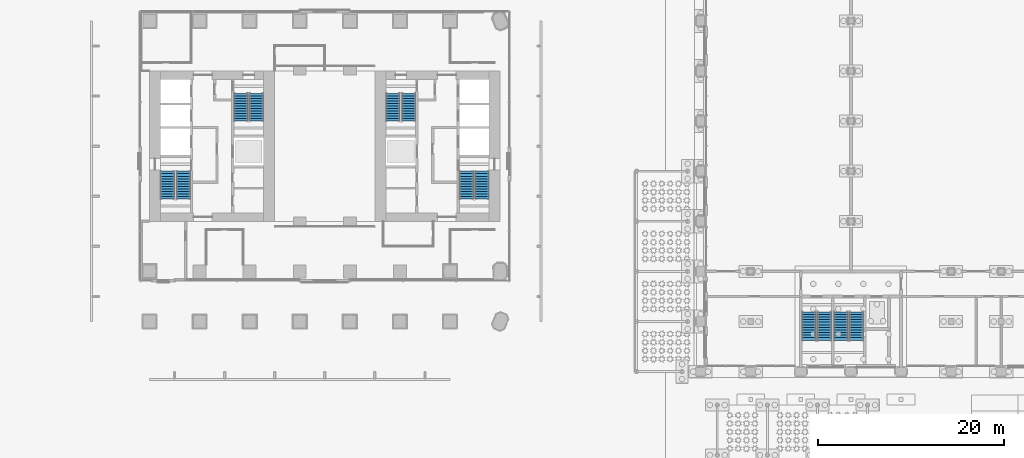
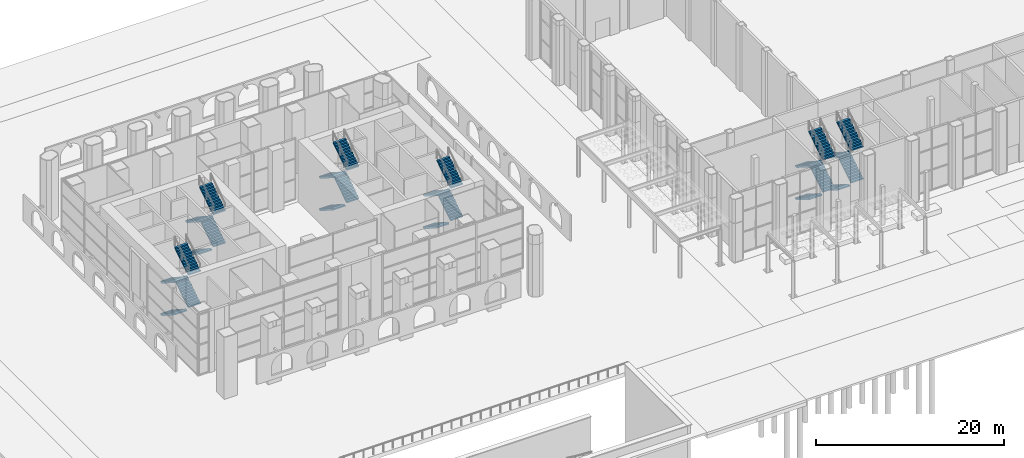
# One storey, part 37 of 54: 24 stair flights, 6 elements without a shape of their own.
"""IFC4 building model written with IfcOpenShell, lengths in metres."""

from ifc_helpers import new_model, si_unit, direction, frame, origin, place, context, subcontext, project, spatial, polyline, outline, extrude, material, type_object, element, aggregate, save


model = new_model("IFC4")

# Units and contexts
model_context = context("Model", 3, precision=1e-05, world=origin(), true_north=direction((0.0, 1.0)))
body_context = subcontext(model_context, "Body", "Model", "MODEL_VIEW")
ifc_project = project(units=[si_unit("LENGTHUNIT", "METRE"), si_unit("AREAUNIT", "SQUARE_METRE"), si_unit("VOLUMEUNIT", "CUBIC_METRE"), si_unit("PLANEANGLEUNIT", "RADIAN"), si_unit("MASSUNIT", "GRAM", prefix="KILO")], contexts=[model_context])

# Site, building, storey
site_placement = place(None, origin())
site = spatial("IfcSite", under=ifc_project, at=site_placement, CompositionType="ELEMENT")
building_placement = place(site_placement, origin())
building = spatial("IfcBuilding", under=site, at=building_placement, Name="Tabaq Tower and Sports Hall", CompositionType="ELEMENT")
storey_placement = place(building_placement, origin())
storey = spatial("IfcBuildingStorey", under=building, at=storey_placement, Name="L00", CompositionType="ELEMENT", Elevation=0.0)

# Stair, stair flights
ifc_material_1 = material(Name="Concrete C40/50", Category="concrete")
stair_type_1 = type_object("IfcStairType", Name="Exit stair", PredefinedType="HALF_TURN_STAIR", material=ifc_material_1)
stair_1_placement = place(storey_placement, origin())
stair_1 = element("IfcStair", 1, at=stair_1_placement, inside=storey, type_object=stair_type_1, Name="L00 Exit stair ST1", PredefinedType="HALF_TURN_STAIR")
ifc_material_2 = material(Name="Concrete C40/50", Category="concrete")
stair_flight_type_1 = type_object("IfcStairFlightType", Name="Exit stair flight", PredefinedType="STRAIGHT", material=ifc_material_2)
stair_flight_1_placement = place(storey_placement, frame((7.35009765625, 21.60009765625, 0.0), z_axis=(0.0, 0.0, 1.0), x_axis=(0.0, -1.0, 0.0)))
stair_flight_1 = element("IfcStairFlight", 2, at=stair_flight_1_placement, type_object=stair_flight_type_1, Name="ST1 flight 1", NumberOfRisers=12, NumberOfTreads=11, PredefinedType="STRAIGHT", RiserHeight=0.175, TreadLength=0.272727273, context=body_context, shape_type="SweptSolid", body=[
    extrude(outline(polyline([(0.0, 0.0), (0.0, 0.175048828125), (0.272705078125, 0.175048828125), (0.272705078125, 0.35009765625), (0.54541015625, 0.35009765625), (0.54541015625, 0.52490234375), (0.818115234375, 0.52490234375), (0.818115234375, 0.699951171875), (1.0908203125, 0.699951171875), (1.0908203125, 0.875), (1.363525390625, 0.875), (1.363525390625, 1.050048828125), (1.636474609375, 1.050048828125), (1.636474609375, 1.22509765625), (1.9091796875, 1.22509765625), (1.9091796875, 1.39990234375), (2.181884765625, 1.39990234375), (2.181884765625, 1.574951171875), (2.45458984375, 1.574951171875), (2.45458984375, 1.75), (2.727294921875, 1.75), (2.727294921875, 1.925048828125), (3.0, 1.925048828125), (3.0, 2.10009765625), (3.0, 1.746826171875), (0.277587890625, 0.0), (0.0, 0.0)])), frame((0.0, 0.75, 0.0), z_axis=(0.0, -1.0, 0.0), x_axis=(1.0, 0.0, 0.0)), (0.0, 0.0, 1.0), 1.5),
])
stair_flight_2_placement = place(storey_placement, frame((9.050048828125, 18.60009765625, 2.10009765625), z_axis=(0.0, 0.0, 1.0), x_axis=(0.0, 1.0, 0.0)))
stair_flight_2 = element("IfcStairFlight", 3, at=stair_flight_2_placement, type_object=stair_flight_type_1, Name="ST1 flight 2", NumberOfRisers=12, NumberOfTreads=11, PredefinedType="STRAIGHT", RiserHeight=0.175, TreadLength=0.272727273, context=body_context, shape_type="SweptSolid", body=[
    extrude(outline(polyline([(0.0, 0.0), (0.0, 0.175048828125), (0.272705078125, 0.175048828125), (0.272705078125, 0.35009765625), (0.54541015625, 0.35009765625), (0.54541015625, 0.52490234375), (0.818115234375, 0.52490234375), (0.818115234375, 0.699951171875), (1.0908203125, 0.699951171875), (1.0908203125, 0.875), (1.363525390625, 0.875), (1.363525390625, 1.050048828125), (1.636474609375, 1.050048828125), (1.636474609375, 1.22509765625), (1.9091796875, 1.22509765625), (1.9091796875, 1.39990234375), (2.181884765625, 1.39990234375), (2.181884765625, 1.574951171875), (2.45458984375, 1.574951171875), (2.45458984375, 1.75), (2.727294921875, 1.75), (2.727294921875, 1.925048828125), (3.0, 1.925048828125), (3.0, 2.10009765625), (3.0, 1.746826171875), (0.277587890625, 0.0), (0.0, 0.0)])), frame((0.0, 0.75, 0.0), z_axis=(0.0, -1.0, 0.0), x_axis=(1.0, 0.0, 0.0)), (0.0, 0.0, 1.0), 1.5),
])
stair_flight_3_placement = place(storey_placement, frame((7.35009765625, 21.60009765625, 4.199951171875), z_axis=(0.0, 0.0, 1.0), x_axis=(0.0, -1.0, 0.0)))
stair_flight_3 = element("IfcStairFlight", 4, at=stair_flight_3_placement, type_object=stair_flight_type_1, Name="ST1 flight 3", NumberOfRisers=12, NumberOfTreads=11, PredefinedType="STRAIGHT", RiserHeight=0.175, TreadLength=0.272727273, context=body_context, shape_type="SweptSolid", body=[
    extrude(outline(polyline([(0.0, 0.0), (0.0, 0.175048828125), (0.272705078125, 0.175048828125), (0.272705078125, 0.35009765625), (0.54541015625, 0.35009765625), (0.54541015625, 0.52490234375), (0.818115234375, 0.52490234375), (0.818115234375, 0.699951171875), (1.0908203125, 0.699951171875), (1.0908203125, 0.875), (1.363525390625, 0.875), (1.363525390625, 1.050048828125), (1.636474609375, 1.050048828125), (1.636474609375, 1.22509765625), (1.9091796875, 1.22509765625), (1.9091796875, 1.39990234375), (2.181884765625, 1.39990234375), (2.181884765625, 1.574951171875), (2.45458984375, 1.574951171875), (2.45458984375, 1.75), (2.727294921875, 1.75), (2.727294921875, 1.925048828125), (3.0, 1.925048828125), (3.0, 2.10009765625), (3.0, 1.746826171875), (0.277587890625, 0.0), (0.0, 0.0)])), frame((0.0, 0.75, 0.0), z_axis=(0.0, -1.0, 0.0), x_axis=(1.0, 0.0, 0.0)), (0.0, 0.0, 1.0), 1.5),
])
stair_flight_4_placement = place(storey_placement, frame((9.050048828125, 18.60009765625, 6.300048828125), z_axis=(0.0, 0.0, 1.0), x_axis=(0.0, 1.0, 0.0)))
stair_flight_4 = element("IfcStairFlight", 5, at=stair_flight_4_placement, type_object=stair_flight_type_1, Name="ST1 flight 4", NumberOfRisers=12, NumberOfTreads=11, PredefinedType="STRAIGHT", RiserHeight=0.175, TreadLength=0.272727273, context=body_context, shape_type="SweptSolid", body=[
    extrude(outline(polyline([(0.0, 0.0), (0.0, 0.175048828125), (0.272705078125, 0.175048828125), (0.272705078125, 0.35009765625), (0.54541015625, 0.35009765625), (0.54541015625, 0.52490234375), (0.818115234375, 0.52490234375), (0.818115234375, 0.699951171875), (1.0908203125, 0.699951171875), (1.0908203125, 0.875), (1.363525390625, 0.875), (1.363525390625, 1.050048828125), (1.636474609375, 1.050048828125), (1.636474609375, 1.22509765625), (1.9091796875, 1.22509765625), (1.9091796875, 1.39990234375), (2.181884765625, 1.39990234375), (2.181884765625, 1.574951171875), (2.45458984375, 1.574951171875), (2.45458984375, 1.75), (2.727294921875, 1.75), (2.727294921875, 1.925048828125), (3.0, 1.925048828125), (3.0, 2.10009765625), (3.0, 1.746826171875), (0.277587890625, 0.0), (0.0, 0.0)])), frame((0.0, 0.75, 0.0), z_axis=(0.0, -1.0, 0.0), x_axis=(1.0, 0.0, 0.0)), (0.0, 0.0, 1.0), 1.5),
])
aggregate(stair_1, [stair_flight_1, stair_flight_2, stair_flight_3, stair_flight_4])

stair_2_placement = place(storey_placement, origin())
stair_2 = element("IfcStair", 6, at=stair_2_placement, inside=storey, type_object=stair_type_1, Name="L00 Exit stair ST2", PredefinedType="HALF_TURN_STAIR")
stair_flight_5_placement = place(storey_placement, frame((15.25, 30.0, 0.0), z_axis=(0.0, 0.0, 1.0), x_axis=(0.0, -1.0, 0.0)))
stair_flight_5 = element("IfcStairFlight", 7, at=stair_flight_5_placement, type_object=stair_flight_type_1, Name="ST2 flight 1", NumberOfRisers=12, NumberOfTreads=11, PredefinedType="STRAIGHT", RiserHeight=0.175, TreadLength=0.272727273, context=body_context, shape_type="SweptSolid", body=[
    extrude(outline(polyline([(0.0, 0.0), (0.0, 0.175048828125), (0.272705078125, 0.175048828125), (0.272705078125, 0.35009765625), (0.54541015625, 0.35009765625), (0.54541015625, 0.52490234375), (0.818115234375, 0.52490234375), (0.818115234375, 0.699951171875), (1.0908203125, 0.699951171875), (1.0908203125, 0.875), (1.363525390625, 0.875), (1.363525390625, 1.050048828125), (1.636474609375, 1.050048828125), (1.636474609375, 1.22509765625), (1.9091796875, 1.22509765625), (1.9091796875, 1.39990234375), (2.181884765625, 1.39990234375), (2.181884765625, 1.574951171875), (2.45458984375, 1.574951171875), (2.45458984375, 1.75), (2.727294921875, 1.75), (2.727294921875, 1.925048828125), (3.0, 1.925048828125), (3.0, 2.10009765625), (3.0, 1.746826171875), (0.277587890625, 0.0), (0.0, 0.0)])), frame((0.0, 0.75, 0.0), z_axis=(0.0, -1.0, 0.0), x_axis=(1.0, 0.0, 0.0)), (0.0, 0.0, 1.0), 1.5),
])
stair_flight_6_placement = place(storey_placement, frame((16.949951171875, 27.0, 2.10009765625), z_axis=(0.0, 0.0, 1.0), x_axis=(0.0, 1.0, 0.0)))
stair_flight_6 = element("IfcStairFlight", 8, at=stair_flight_6_placement, type_object=stair_flight_type_1, Name="ST2 flight 2", NumberOfRisers=12, NumberOfTreads=11, PredefinedType="STRAIGHT", RiserHeight=0.175, TreadLength=0.272727273, context=body_context, shape_type="SweptSolid", body=[
    extrude(outline(polyline([(0.0, 0.0), (0.0, 0.175048828125), (0.272705078125, 0.175048828125), (0.272705078125, 0.35009765625), (0.54541015625, 0.35009765625), (0.54541015625, 0.52490234375), (0.818115234375, 0.52490234375), (0.818115234375, 0.699951171875), (1.0908203125, 0.699951171875), (1.0908203125, 0.875), (1.363525390625, 0.875), (1.363525390625, 1.050048828125), (1.636474609375, 1.050048828125), (1.636474609375, 1.22509765625), (1.9091796875, 1.22509765625), (1.9091796875, 1.39990234375), (2.181884765625, 1.39990234375), (2.181884765625, 1.574951171875), (2.45458984375, 1.574951171875), (2.45458984375, 1.75), (2.727294921875, 1.75), (2.727294921875, 1.925048828125), (3.0, 1.925048828125), (3.0, 2.10009765625), (3.0, 1.746826171875), (0.277587890625, 0.0), (0.0, 0.0)])), frame((0.0, 0.75, 0.0), z_axis=(0.0, -1.0, 0.0), x_axis=(1.0, 0.0, 0.0)), (0.0, 0.0, 1.0), 1.5),
])
stair_flight_7_placement = place(storey_placement, frame((15.25, 30.0, 4.199951171875), z_axis=(0.0, 0.0, 1.0), x_axis=(0.0, -1.0, 0.0)))
stair_flight_7 = element("IfcStairFlight", 9, at=stair_flight_7_placement, type_object=stair_flight_type_1, Name="ST2 flight 3", NumberOfRisers=12, NumberOfTreads=11, PredefinedType="STRAIGHT", RiserHeight=0.175, TreadLength=0.272727273, context=body_context, shape_type="SweptSolid", body=[
    extrude(outline(polyline([(0.0, 0.0), (0.0, 0.175048828125), (0.272705078125, 0.175048828125), (0.272705078125, 0.35009765625), (0.54541015625, 0.35009765625), (0.54541015625, 0.52490234375), (0.818115234375, 0.52490234375), (0.818115234375, 0.699951171875), (1.0908203125, 0.699951171875), (1.0908203125, 0.875), (1.363525390625, 0.875), (1.363525390625, 1.050048828125), (1.636474609375, 1.050048828125), (1.636474609375, 1.22509765625), (1.9091796875, 1.22509765625), (1.9091796875, 1.39990234375), (2.181884765625, 1.39990234375), (2.181884765625, 1.574951171875), (2.45458984375, 1.574951171875), (2.45458984375, 1.75), (2.727294921875, 1.75), (2.727294921875, 1.925048828125), (3.0, 1.925048828125), (3.0, 2.10009765625), (3.0, 1.746826171875), (0.277587890625, 0.0), (0.0, 0.0)])), frame((0.0, 0.75, 0.0), z_axis=(0.0, -1.0, 0.0), x_axis=(1.0, 0.0, 0.0)), (0.0, 0.0, 1.0), 1.5),
])
stair_flight_8_placement = place(storey_placement, frame((16.949951171875, 27.0, 6.300048828125), z_axis=(0.0, 0.0, 1.0), x_axis=(0.0, 1.0, 0.0)))
stair_flight_8 = element("IfcStairFlight", 10, at=stair_flight_8_placement, type_object=stair_flight_type_1, Name="ST2 flight 4", NumberOfRisers=12, NumberOfTreads=11, PredefinedType="STRAIGHT", RiserHeight=0.175, TreadLength=0.272727273, context=body_context, shape_type="SweptSolid", body=[
    extrude(outline(polyline([(0.0, 0.0), (0.0, 0.175048828125), (0.272705078125, 0.175048828125), (0.272705078125, 0.35009765625), (0.54541015625, 0.35009765625), (0.54541015625, 0.52490234375), (0.818115234375, 0.52490234375), (0.818115234375, 0.699951171875), (1.0908203125, 0.699951171875), (1.0908203125, 0.875), (1.363525390625, 0.875), (1.363525390625, 1.050048828125), (1.636474609375, 1.050048828125), (1.636474609375, 1.22509765625), (1.9091796875, 1.22509765625), (1.9091796875, 1.39990234375), (2.181884765625, 1.39990234375), (2.181884765625, 1.574951171875), (2.45458984375, 1.574951171875), (2.45458984375, 1.75), (2.727294921875, 1.75), (2.727294921875, 1.925048828125), (3.0, 1.925048828125), (3.0, 2.10009765625), (3.0, 1.746826171875), (0.277587890625, 0.0), (0.0, 0.0)])), frame((0.0, 0.75, 0.0), z_axis=(0.0, -1.0, 0.0), x_axis=(1.0, 0.0, 0.0)), (0.0, 0.0, 1.0), 1.5),
])
aggregate(stair_2, [stair_flight_5, stair_flight_6, stair_flight_7, stair_flight_8])

stair_3_placement = place(storey_placement, origin())
stair_3 = element("IfcStair", 11, at=stair_3_placement, inside=storey, type_object=stair_type_1, Name="L00 Exit stair ST3", PredefinedType="HALF_TURN_STAIR")
stair_flight_9_placement = place(storey_placement, frame((39.550048828125, 21.60009765625, 0.0), z_axis=(0.0, 0.0, 1.0), x_axis=(0.0, -1.0, 0.0)))
stair_flight_9 = element("IfcStairFlight", 12, at=stair_flight_9_placement, type_object=stair_flight_type_1, Name="ST3 flight 1", NumberOfRisers=12, NumberOfTreads=11, PredefinedType="STRAIGHT", RiserHeight=0.175, TreadLength=0.272727273, context=body_context, shape_type="SweptSolid", body=[
    extrude(outline(polyline([(0.0, 0.0), (0.0, 0.175048828125), (0.272705078125, 0.175048828125), (0.272705078125, 0.35009765625), (0.54541015625, 0.35009765625), (0.54541015625, 0.52490234375), (0.818115234375, 0.52490234375), (0.818115234375, 0.699951171875), (1.0908203125, 0.699951171875), (1.0908203125, 0.875), (1.363525390625, 0.875), (1.363525390625, 1.050048828125), (1.636474609375, 1.050048828125), (1.636474609375, 1.22509765625), (1.9091796875, 1.22509765625), (1.9091796875, 1.39990234375), (2.181884765625, 1.39990234375), (2.181884765625, 1.574951171875), (2.45458984375, 1.574951171875), (2.45458984375, 1.75), (2.727294921875, 1.75), (2.727294921875, 1.925048828125), (3.0, 1.925048828125), (3.0, 2.10009765625), (3.0, 1.746826171875), (0.277587890625, 0.0), (0.0, 0.0)])), frame((0.0, 0.75, 0.0), z_axis=(0.0, -1.0, 0.0), x_axis=(1.0, 0.0, 0.0)), (0.0, 0.0, 1.0), 1.5),
])
stair_flight_10_placement = place(storey_placement, frame((41.25, 18.60009765625, 2.10009765625), z_axis=(0.0, 0.0, 1.0), x_axis=(0.0, 1.0, 0.0)))
stair_flight_10 = element("IfcStairFlight", 13, at=stair_flight_10_placement, type_object=stair_flight_type_1, Name="ST3 flight 2", NumberOfRisers=12, NumberOfTreads=11, PredefinedType="STRAIGHT", RiserHeight=0.175, TreadLength=0.272727273, context=body_context, shape_type="SweptSolid", body=[
    extrude(outline(polyline([(0.0, 0.0), (0.0, 0.175048828125), (0.272705078125, 0.175048828125), (0.272705078125, 0.35009765625), (0.54541015625, 0.35009765625), (0.54541015625, 0.52490234375), (0.818115234375, 0.52490234375), (0.818115234375, 0.699951171875), (1.0908203125, 0.699951171875), (1.0908203125, 0.875), (1.363525390625, 0.875), (1.363525390625, 1.050048828125), (1.636474609375, 1.050048828125), (1.636474609375, 1.22509765625), (1.9091796875, 1.22509765625), (1.9091796875, 1.39990234375), (2.181884765625, 1.39990234375), (2.181884765625, 1.574951171875), (2.45458984375, 1.574951171875), (2.45458984375, 1.75), (2.727294921875, 1.75), (2.727294921875, 1.925048828125), (3.0, 1.925048828125), (3.0, 2.10009765625), (3.0, 1.746826171875), (0.277587890625, 0.0), (0.0, 0.0)])), frame((0.0, 0.75, 0.0), z_axis=(0.0, -1.0, 0.0), x_axis=(1.0, 0.0, 0.0)), (0.0, 0.0, 1.0), 1.5),
])
stair_flight_11_placement = place(storey_placement, frame((39.550048828125, 21.60009765625, 4.199951171875), z_axis=(0.0, 0.0, 1.0), x_axis=(0.0, -1.0, 0.0)))
stair_flight_11 = element("IfcStairFlight", 14, at=stair_flight_11_placement, type_object=stair_flight_type_1, Name="ST3 flight 3", NumberOfRisers=12, NumberOfTreads=11, PredefinedType="STRAIGHT", RiserHeight=0.175, TreadLength=0.272727273, context=body_context, shape_type="SweptSolid", body=[
    extrude(outline(polyline([(0.0, 0.0), (0.0, 0.175048828125), (0.272705078125, 0.175048828125), (0.272705078125, 0.35009765625), (0.54541015625, 0.35009765625), (0.54541015625, 0.52490234375), (0.818115234375, 0.52490234375), (0.818115234375, 0.699951171875), (1.0908203125, 0.699951171875), (1.0908203125, 0.875), (1.363525390625, 0.875), (1.363525390625, 1.050048828125), (1.636474609375, 1.050048828125), (1.636474609375, 1.22509765625), (1.9091796875, 1.22509765625), (1.9091796875, 1.39990234375), (2.181884765625, 1.39990234375), (2.181884765625, 1.574951171875), (2.45458984375, 1.574951171875), (2.45458984375, 1.75), (2.727294921875, 1.75), (2.727294921875, 1.925048828125), (3.0, 1.925048828125), (3.0, 2.10009765625), (3.0, 1.746826171875), (0.277587890625, 0.0), (0.0, 0.0)])), frame((0.0, 0.75, 0.0), z_axis=(0.0, -1.0, 0.0), x_axis=(1.0, 0.0, 0.0)), (0.0, 0.0, 1.0), 1.5),
])
stair_flight_12_placement = place(storey_placement, frame((41.25, 18.60009765625, 6.300048828125), z_axis=(0.0, 0.0, 1.0), x_axis=(0.0, 1.0, 0.0)))
stair_flight_12 = element("IfcStairFlight", 15, at=stair_flight_12_placement, type_object=stair_flight_type_1, Name="ST3 flight 4", NumberOfRisers=12, NumberOfTreads=11, PredefinedType="STRAIGHT", RiserHeight=0.175, TreadLength=0.272727273, context=body_context, shape_type="SweptSolid", body=[
    extrude(outline(polyline([(0.0, 0.0), (0.0, 0.175048828125), (0.272705078125, 0.175048828125), (0.272705078125, 0.35009765625), (0.54541015625, 0.35009765625), (0.54541015625, 0.52490234375), (0.818115234375, 0.52490234375), (0.818115234375, 0.699951171875), (1.0908203125, 0.699951171875), (1.0908203125, 0.875), (1.363525390625, 0.875), (1.363525390625, 1.050048828125), (1.636474609375, 1.050048828125), (1.636474609375, 1.22509765625), (1.9091796875, 1.22509765625), (1.9091796875, 1.39990234375), (2.181884765625, 1.39990234375), (2.181884765625, 1.574951171875), (2.45458984375, 1.574951171875), (2.45458984375, 1.75), (2.727294921875, 1.75), (2.727294921875, 1.925048828125), (3.0, 1.925048828125), (3.0, 2.10009765625), (3.0, 1.746826171875), (0.277587890625, 0.0), (0.0, 0.0)])), frame((0.0, 0.75, 0.0), z_axis=(0.0, -1.0, 0.0), x_axis=(1.0, 0.0, 0.0)), (0.0, 0.0, 1.0), 1.5),
])
aggregate(stair_3, [stair_flight_9, stair_flight_10, stair_flight_11, stair_flight_12])

stair_4_placement = place(storey_placement, origin())
stair_4 = element("IfcStair", 16, at=stair_4_placement, inside=storey, type_object=stair_type_1, Name="L00 Exit stair ST4", PredefinedType="HALF_TURN_STAIR")
stair_flight_13_placement = place(storey_placement, frame((31.64990234375, 30.0, 0.0), z_axis=(0.0, 0.0, 1.0), x_axis=(0.0, -1.0, 0.0)))
stair_flight_13 = element("IfcStairFlight", 17, at=stair_flight_13_placement, type_object=stair_flight_type_1, Name="ST4 flight 1", NumberOfRisers=12, NumberOfTreads=11, PredefinedType="STRAIGHT", RiserHeight=0.175, TreadLength=0.272727273, context=body_context, shape_type="SweptSolid", body=[
    extrude(outline(polyline([(0.0, 0.0), (0.0, 0.175048828125), (0.272705078125, 0.175048828125), (0.272705078125, 0.35009765625), (0.54541015625, 0.35009765625), (0.54541015625, 0.52490234375), (0.818115234375, 0.52490234375), (0.818115234375, 0.699951171875), (1.0908203125, 0.699951171875), (1.0908203125, 0.875), (1.363525390625, 0.875), (1.363525390625, 1.050048828125), (1.636474609375, 1.050048828125), (1.636474609375, 1.22509765625), (1.9091796875, 1.22509765625), (1.9091796875, 1.39990234375), (2.181884765625, 1.39990234375), (2.181884765625, 1.574951171875), (2.45458984375, 1.574951171875), (2.45458984375, 1.75), (2.727294921875, 1.75), (2.727294921875, 1.925048828125), (3.0, 1.925048828125), (3.0, 2.10009765625), (3.0, 1.746826171875), (0.277587890625, 0.0), (0.0, 0.0)])), frame((0.0, 0.75, 0.0), z_axis=(0.0, -1.0, 0.0), x_axis=(1.0, 0.0, 0.0)), (0.0, 0.0, 1.0), 1.5),
])
stair_flight_14_placement = place(storey_placement, frame((33.35009765625, 27.0, 2.10009765625), z_axis=(0.0, 0.0, 1.0), x_axis=(0.0, 1.0, 0.0)))
stair_flight_14 = element("IfcStairFlight", 18, at=stair_flight_14_placement, type_object=stair_flight_type_1, Name="ST4 flight 2", NumberOfRisers=12, NumberOfTreads=11, PredefinedType="STRAIGHT", RiserHeight=0.175, TreadLength=0.272727273, context=body_context, shape_type="SweptSolid", body=[
    extrude(outline(polyline([(0.0, 0.0), (0.0, 0.175048828125), (0.272705078125, 0.175048828125), (0.272705078125, 0.35009765625), (0.54541015625, 0.35009765625), (0.54541015625, 0.52490234375), (0.818115234375, 0.52490234375), (0.818115234375, 0.699951171875), (1.0908203125, 0.699951171875), (1.0908203125, 0.875), (1.363525390625, 0.875), (1.363525390625, 1.050048828125), (1.636474609375, 1.050048828125), (1.636474609375, 1.22509765625), (1.9091796875, 1.22509765625), (1.9091796875, 1.39990234375), (2.181884765625, 1.39990234375), (2.181884765625, 1.574951171875), (2.45458984375, 1.574951171875), (2.45458984375, 1.75), (2.727294921875, 1.75), (2.727294921875, 1.925048828125), (3.0, 1.925048828125), (3.0, 2.10009765625), (3.0, 1.746826171875), (0.277587890625, 0.0), (0.0, 0.0)])), frame((0.0, 0.75, 0.0), z_axis=(0.0, -1.0, 0.0), x_axis=(1.0, 0.0, 0.0)), (0.0, 0.0, 1.0), 1.5),
])
stair_flight_15_placement = place(storey_placement, frame((31.64990234375, 30.0, 4.199951171875), z_axis=(0.0, 0.0, 1.0), x_axis=(0.0, -1.0, 0.0)))
stair_flight_15 = element("IfcStairFlight", 19, at=stair_flight_15_placement, type_object=stair_flight_type_1, Name="ST4 flight 3", NumberOfRisers=12, NumberOfTreads=11, PredefinedType="STRAIGHT", RiserHeight=0.175, TreadLength=0.272727273, context=body_context, shape_type="SweptSolid", body=[
    extrude(outline(polyline([(0.0, 0.0), (0.0, 0.175048828125), (0.272705078125, 0.175048828125), (0.272705078125, 0.35009765625), (0.54541015625, 0.35009765625), (0.54541015625, 0.52490234375), (0.818115234375, 0.52490234375), (0.818115234375, 0.699951171875), (1.0908203125, 0.699951171875), (1.0908203125, 0.875), (1.363525390625, 0.875), (1.363525390625, 1.050048828125), (1.636474609375, 1.050048828125), (1.636474609375, 1.22509765625), (1.9091796875, 1.22509765625), (1.9091796875, 1.39990234375), (2.181884765625, 1.39990234375), (2.181884765625, 1.574951171875), (2.45458984375, 1.574951171875), (2.45458984375, 1.75), (2.727294921875, 1.75), (2.727294921875, 1.925048828125), (3.0, 1.925048828125), (3.0, 2.10009765625), (3.0, 1.746826171875), (0.277587890625, 0.0), (0.0, 0.0)])), frame((0.0, 0.75, 0.0), z_axis=(0.0, -1.0, 0.0), x_axis=(1.0, 0.0, 0.0)), (0.0, 0.0, 1.0), 1.5),
])
stair_flight_16_placement = place(storey_placement, frame((33.35009765625, 27.0, 6.300048828125), z_axis=(0.0, 0.0, 1.0), x_axis=(0.0, 1.0, 0.0)))
stair_flight_16 = element("IfcStairFlight", 20, at=stair_flight_16_placement, type_object=stair_flight_type_1, Name="ST4 flight 4", NumberOfRisers=12, NumberOfTreads=11, PredefinedType="STRAIGHT", RiserHeight=0.175, TreadLength=0.272727273, context=body_context, shape_type="SweptSolid", body=[
    extrude(outline(polyline([(0.0, 0.0), (0.0, 0.175048828125), (0.272705078125, 0.175048828125), (0.272705078125, 0.35009765625), (0.54541015625, 0.35009765625), (0.54541015625, 0.52490234375), (0.818115234375, 0.52490234375), (0.818115234375, 0.699951171875), (1.0908203125, 0.699951171875), (1.0908203125, 0.875), (1.363525390625, 0.875), (1.363525390625, 1.050048828125), (1.636474609375, 1.050048828125), (1.636474609375, 1.22509765625), (1.9091796875, 1.22509765625), (1.9091796875, 1.39990234375), (2.181884765625, 1.39990234375), (2.181884765625, 1.574951171875), (2.45458984375, 1.574951171875), (2.45458984375, 1.75), (2.727294921875, 1.75), (2.727294921875, 1.925048828125), (3.0, 1.925048828125), (3.0, 2.10009765625), (3.0, 1.746826171875), (0.277587890625, 0.0), (0.0, 0.0)])), frame((0.0, 0.75, 0.0), z_axis=(0.0, -1.0, 0.0), x_axis=(1.0, 0.0, 0.0)), (0.0, 0.0, 1.0), 1.5),
])
aggregate(stair_4, [stair_flight_13, stair_flight_14, stair_flight_15, stair_flight_16])

ifc_material_3 = material(Name="Concrete C40/50", Category="concrete")
stair_type_2 = type_object("IfcStairType", Name="HALL STAIR HALF-TURN", PredefinedType="HALF_TURN_STAIR", material=ifc_material_3)
stair_5_placement = place(storey_placement, origin())
stair_5 = element("IfcStair", 21, at=stair_5_placement, inside=storey, type_object=stair_type_2, Name="L00 Stair H1", PredefinedType="HALF_TURN_STAIR")
ifc_material_4 = material(Name="Concrete C40/50", Category="concrete")
stair_flight_type_2 = type_object("IfcStairFlightType", Name="HALL STAIR FLIGHT 1500", PredefinedType="STRAIGHT", material=ifc_material_4)
stair_flight_17_placement = place(storey_placement, frame((76.5, 6.449951171875, 0.0), z_axis=(0.0, 0.0, 1.0), x_axis=(0.0, -1.0, 0.0)))
stair_flight_17 = element("IfcStairFlight", 22, at=stair_flight_17_placement, type_object=stair_flight_type_2, Name="ST-H1 flight 1", NumberOfRisers=12, NumberOfTreads=11, PredefinedType="STRAIGHT", RiserHeight=0.175, TreadLength=0.28, context=body_context, shape_type="SweptSolid", body=[
    extrude(outline(polyline([(0.0, 0.0), (0.0, 0.175048828125), (0.280029296875, 0.175048828125), (0.280029296875, 0.35009765625), (0.56005859375, 0.35009765625), (0.56005859375, 0.52490234375), (0.840087890625, 0.52490234375), (0.840087890625, 0.699951171875), (1.1201171875, 0.699951171875), (1.1201171875, 0.875), (1.39990234375, 0.875), (1.39990234375, 1.050048828125), (1.679931640625, 1.050048828125), (1.679931640625, 1.22509765625), (1.9599609375, 1.22509765625), (1.9599609375, 1.39990234375), (2.239990234375, 1.39990234375), (2.239990234375, 1.574951171875), (2.52001953125, 1.574951171875), (2.52001953125, 1.75), (2.800048828125, 1.75), (2.800048828125, 1.925048828125), (3.080078125, 1.925048828125), (3.080078125, 2.10009765625), (3.080078125, 1.748291015625), (0.28271484375, 0.0), (0.0, 0.0)])), frame((0.0, 0.75, 0.0), z_axis=(0.0, -1.0, 0.0), x_axis=(1.0, 0.0, 0.0)), (0.0, 0.0, 1.0), 1.5),
])
stair_flight_18_placement = place(storey_placement, frame((78.14990234375, 3.3701171875, 2.10009765625), z_axis=(0.0, 0.0, 1.0), x_axis=(0.0, 1.0, 0.0)))
stair_flight_18 = element("IfcStairFlight", 23, at=stair_flight_18_placement, type_object=stair_flight_type_2, Name="ST-H1 flight 2", NumberOfRisers=12, NumberOfTreads=11, PredefinedType="STRAIGHT", RiserHeight=0.175, TreadLength=0.28, context=body_context, shape_type="SweptSolid", body=[
    extrude(outline(polyline([(0.0, 0.0), (0.0, 0.175048828125), (0.280029296875, 0.175048828125), (0.280029296875, 0.35009765625), (0.56005859375, 0.35009765625), (0.56005859375, 0.52490234375), (0.840087890625, 0.52490234375), (0.840087890625, 0.699951171875), (1.1201171875, 0.699951171875), (1.1201171875, 0.875), (1.39990234375, 0.875), (1.39990234375, 1.050048828125), (1.679931640625, 1.050048828125), (1.679931640625, 1.22509765625), (1.9599609375, 1.22509765625), (1.9599609375, 1.39990234375), (2.239990234375, 1.39990234375), (2.239990234375, 1.574951171875), (2.52001953125, 1.574951171875), (2.52001953125, 1.75), (2.800048828125, 1.75), (2.800048828125, 1.925048828125), (3.080078125, 1.925048828125), (3.080078125, 2.10009765625), (3.080078125, 1.748291015625), (0.28271484375, 0.0), (0.0, 0.0)])), frame((0.0, 0.75, 0.0), z_axis=(0.0, -1.0, 0.0), x_axis=(1.0, 0.0, 0.0)), (0.0, 0.0, 1.0), 1.5),
])
stair_flight_19_placement = place(storey_placement, frame((76.5, 6.449951171875, 4.199951171875), z_axis=(0.0, 0.0, 1.0), x_axis=(0.0, -1.0, 0.0)))
stair_flight_19 = element("IfcStairFlight", 24, at=stair_flight_19_placement, type_object=stair_flight_type_2, Name="ST-H1 flight 3", NumberOfRisers=12, NumberOfTreads=11, PredefinedType="STRAIGHT", RiserHeight=0.175, TreadLength=0.28, context=body_context, shape_type="SweptSolid", body=[
    extrude(outline(polyline([(0.0, 0.0), (0.0, 0.175048828125), (0.280029296875, 0.175048828125), (0.280029296875, 0.35009765625), (0.56005859375, 0.35009765625), (0.56005859375, 0.52490234375), (0.840087890625, 0.52490234375), (0.840087890625, 0.699951171875), (1.1201171875, 0.699951171875), (1.1201171875, 0.875), (1.39990234375, 0.875), (1.39990234375, 1.050048828125), (1.679931640625, 1.050048828125), (1.679931640625, 1.22509765625), (1.9599609375, 1.22509765625), (1.9599609375, 1.39990234375), (2.239990234375, 1.39990234375), (2.239990234375, 1.574951171875), (2.52001953125, 1.574951171875), (2.52001953125, 1.75), (2.800048828125, 1.75), (2.800048828125, 1.925048828125), (3.080078125, 1.925048828125), (3.080078125, 2.10009765625), (3.080078125, 1.748291015625), (0.28271484375, 0.0), (0.0, 0.0)])), frame((0.0, 0.75, 0.0), z_axis=(0.0, -1.0, 0.0), x_axis=(1.0, 0.0, 0.0)), (0.0, 0.0, 1.0), 1.5),
])
stair_flight_20_placement = place(storey_placement, frame((78.14990234375, 3.3701171875, 6.300048828125), z_axis=(0.0, 0.0, 1.0), x_axis=(0.0, 1.0, 0.0)))
stair_flight_20 = element("IfcStairFlight", 25, at=stair_flight_20_placement, type_object=stair_flight_type_2, Name="ST-H1 flight 4", NumberOfRisers=12, NumberOfTreads=11, PredefinedType="STRAIGHT", RiserHeight=0.175, TreadLength=0.28, context=body_context, shape_type="SweptSolid", body=[
    extrude(outline(polyline([(0.0, 0.0), (0.0, 0.175048828125), (0.280029296875, 0.175048828125), (0.280029296875, 0.35009765625), (0.56005859375, 0.35009765625), (0.56005859375, 0.52490234375), (0.840087890625, 0.52490234375), (0.840087890625, 0.699951171875), (1.1201171875, 0.699951171875), (1.1201171875, 0.875), (1.39990234375, 0.875), (1.39990234375, 1.050048828125), (1.679931640625, 1.050048828125), (1.679931640625, 1.22509765625), (1.9599609375, 1.22509765625), (1.9599609375, 1.39990234375), (2.239990234375, 1.39990234375), (2.239990234375, 1.574951171875), (2.52001953125, 1.574951171875), (2.52001953125, 1.75), (2.800048828125, 1.75), (2.800048828125, 1.925048828125), (3.080078125, 1.925048828125), (3.080078125, 2.10009765625), (3.080078125, 1.748291015625), (0.28271484375, 0.0), (0.0, 0.0)])), frame((0.0, 0.75, 0.0), z_axis=(0.0, -1.0, 0.0), x_axis=(1.0, 0.0, 0.0)), (0.0, 0.0, 1.0), 1.5),
])
aggregate(stair_5, [stair_flight_17, stair_flight_18, stair_flight_19, stair_flight_20])

stair_6_placement = place(storey_placement, origin())
stair_6 = element("IfcStair", 26, at=stair_6_placement, inside=storey, type_object=stair_type_2, Name="L00 Stair H2", PredefinedType="HALF_TURN_STAIR")
stair_flight_21_placement = place(storey_placement, frame((79.949951171875, 6.449951171875, 0.0), z_axis=(0.0, 0.0, 1.0), x_axis=(0.0, -1.0, 0.0)))
stair_flight_21 = element("IfcStairFlight", 27, at=stair_flight_21_placement, type_object=stair_flight_type_2, Name="ST-H2 flight 1", NumberOfRisers=12, NumberOfTreads=11, PredefinedType="STRAIGHT", RiserHeight=0.175, TreadLength=0.28, context=body_context, shape_type="SweptSolid", body=[
    extrude(outline(polyline([(0.0, 0.0), (0.0, 0.175048828125), (0.280029296875, 0.175048828125), (0.280029296875, 0.35009765625), (0.56005859375, 0.35009765625), (0.56005859375, 0.52490234375), (0.840087890625, 0.52490234375), (0.840087890625, 0.699951171875), (1.1201171875, 0.699951171875), (1.1201171875, 0.875), (1.39990234375, 0.875), (1.39990234375, 1.050048828125), (1.679931640625, 1.050048828125), (1.679931640625, 1.22509765625), (1.9599609375, 1.22509765625), (1.9599609375, 1.39990234375), (2.239990234375, 1.39990234375), (2.239990234375, 1.574951171875), (2.52001953125, 1.574951171875), (2.52001953125, 1.75), (2.800048828125, 1.75), (2.800048828125, 1.925048828125), (3.080078125, 1.925048828125), (3.080078125, 2.10009765625), (3.080078125, 1.748291015625), (0.28271484375, 0.0), (0.0, 0.0)])), frame((0.0, 0.75, 0.0), z_axis=(0.0, -1.0, 0.0), x_axis=(1.0, 0.0, 0.0)), (0.0, 0.0, 1.0), 1.5),
])
stair_flight_22_placement = place(storey_placement, frame((81.60009765625, 3.3701171875, 2.10009765625), z_axis=(0.0, 0.0, 1.0), x_axis=(0.0, 1.0, 0.0)))
stair_flight_22 = element("IfcStairFlight", 28, at=stair_flight_22_placement, type_object=stair_flight_type_2, Name="ST-H2 flight 2", NumberOfRisers=12, NumberOfTreads=11, PredefinedType="STRAIGHT", RiserHeight=0.175, TreadLength=0.28, context=body_context, shape_type="SweptSolid", body=[
    extrude(outline(polyline([(0.0, 0.0), (0.0, 0.175048828125), (0.280029296875, 0.175048828125), (0.280029296875, 0.35009765625), (0.56005859375, 0.35009765625), (0.56005859375, 0.52490234375), (0.840087890625, 0.52490234375), (0.840087890625, 0.699951171875), (1.1201171875, 0.699951171875), (1.1201171875, 0.875), (1.39990234375, 0.875), (1.39990234375, 1.050048828125), (1.679931640625, 1.050048828125), (1.679931640625, 1.22509765625), (1.9599609375, 1.22509765625), (1.9599609375, 1.39990234375), (2.239990234375, 1.39990234375), (2.239990234375, 1.574951171875), (2.52001953125, 1.574951171875), (2.52001953125, 1.75), (2.800048828125, 1.75), (2.800048828125, 1.925048828125), (3.080078125, 1.925048828125), (3.080078125, 2.10009765625), (3.080078125, 1.748291015625), (0.28271484375, 0.0), (0.0, 0.0)])), frame((0.0, 0.75, 0.0), z_axis=(0.0, -1.0, 0.0), x_axis=(1.0, 0.0, 0.0)), (0.0, 0.0, 1.0), 1.5),
])
stair_flight_23_placement = place(storey_placement, frame((79.949951171875, 6.449951171875, 4.199951171875), z_axis=(0.0, 0.0, 1.0), x_axis=(0.0, -1.0, 0.0)))
stair_flight_23 = element("IfcStairFlight", 29, at=stair_flight_23_placement, type_object=stair_flight_type_2, Name="ST-H2 flight 3", NumberOfRisers=12, NumberOfTreads=11, PredefinedType="STRAIGHT", RiserHeight=0.175, TreadLength=0.28, context=body_context, shape_type="SweptSolid", body=[
    extrude(outline(polyline([(0.0, 0.0), (0.0, 0.175048828125), (0.280029296875, 0.175048828125), (0.280029296875, 0.35009765625), (0.56005859375, 0.35009765625), (0.56005859375, 0.52490234375), (0.840087890625, 0.52490234375), (0.840087890625, 0.699951171875), (1.1201171875, 0.699951171875), (1.1201171875, 0.875), (1.39990234375, 0.875), (1.39990234375, 1.050048828125), (1.679931640625, 1.050048828125), (1.679931640625, 1.22509765625), (1.9599609375, 1.22509765625), (1.9599609375, 1.39990234375), (2.239990234375, 1.39990234375), (2.239990234375, 1.574951171875), (2.52001953125, 1.574951171875), (2.52001953125, 1.75), (2.800048828125, 1.75), (2.800048828125, 1.925048828125), (3.080078125, 1.925048828125), (3.080078125, 2.10009765625), (3.080078125, 1.748291015625), (0.28271484375, 0.0), (0.0, 0.0)])), frame((0.0, 0.75, 0.0), z_axis=(0.0, -1.0, 0.0), x_axis=(1.0, 0.0, 0.0)), (0.0, 0.0, 1.0), 1.5),
])
stair_flight_24_placement = place(storey_placement, frame((81.60009765625, 3.3701171875, 6.300048828125), z_axis=(0.0, 0.0, 1.0), x_axis=(0.0, 1.0, 0.0)))
stair_flight_24 = element("IfcStairFlight", 30, at=stair_flight_24_placement, type_object=stair_flight_type_2, Name="ST-H2 flight 4", NumberOfRisers=12, NumberOfTreads=11, PredefinedType="STRAIGHT", RiserHeight=0.175, TreadLength=0.28, context=body_context, shape_type="SweptSolid", body=[
    extrude(outline(polyline([(0.0, 0.0), (0.0, 0.175048828125), (0.280029296875, 0.175048828125), (0.280029296875, 0.35009765625), (0.56005859375, 0.35009765625), (0.56005859375, 0.52490234375), (0.840087890625, 0.52490234375), (0.840087890625, 0.699951171875), (1.1201171875, 0.699951171875), (1.1201171875, 0.875), (1.39990234375, 0.875), (1.39990234375, 1.050048828125), (1.679931640625, 1.050048828125), (1.679931640625, 1.22509765625), (1.9599609375, 1.22509765625), (1.9599609375, 1.39990234375), (2.239990234375, 1.39990234375), (2.239990234375, 1.574951171875), (2.52001953125, 1.574951171875), (2.52001953125, 1.75), (2.800048828125, 1.75), (2.800048828125, 1.925048828125), (3.080078125, 1.925048828125), (3.080078125, 2.10009765625), (3.080078125, 1.748291015625), (0.28271484375, 0.0), (0.0, 0.0)])), frame((0.0, 0.75, 0.0), z_axis=(0.0, -1.0, 0.0), x_axis=(1.0, 0.0, 0.0)), (0.0, 0.0, 1.0), 1.5),
])
aggregate(stair_6, [stair_flight_21, stair_flight_22, stair_flight_23, stair_flight_24])

save(model, "model.ifc")
